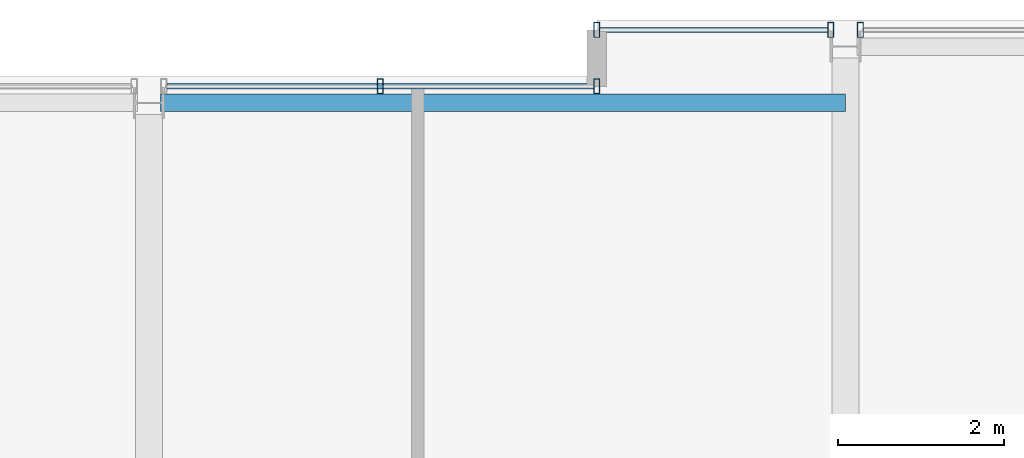
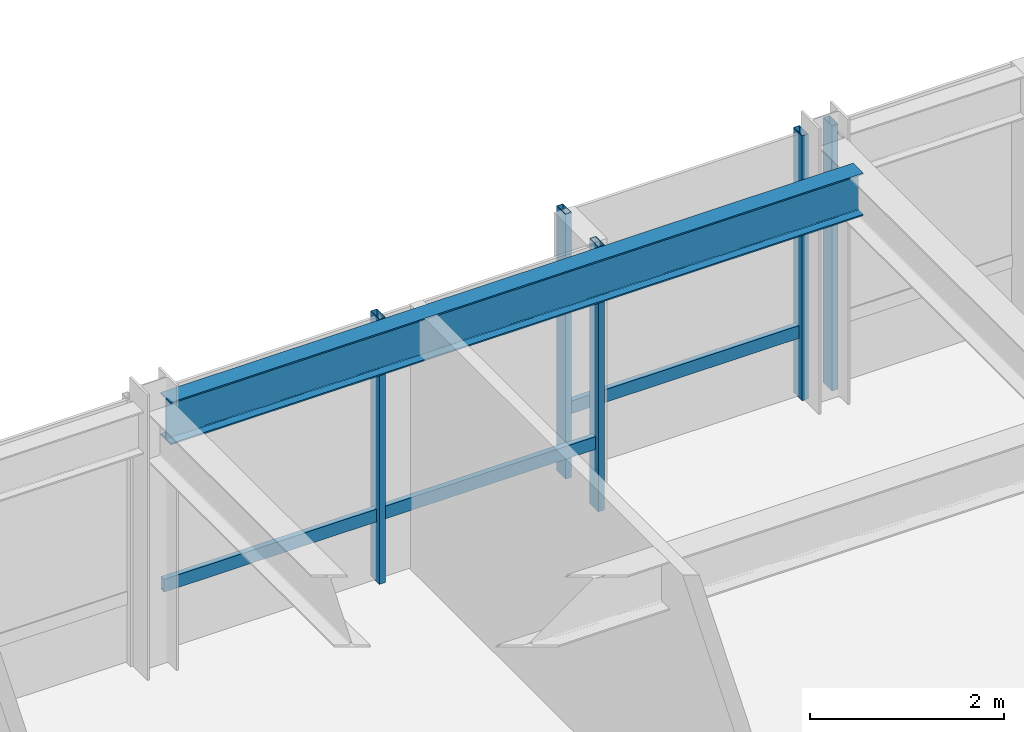
# One storey, part 21 of 32: 7 members, 1 beam, 3 elements without a shape of their own.
"""IFC4 building model written with IfcOpenShell, lengths in metres."""

from ifc_helpers import new_model, si_unit, direction, frame, origin, origin_2d, place, context, subcontext, project, spatial, hollow_rectangle, i_section, extrude, material, layer, layer_set, material_profile, profile_set, type_object, element, aggregate, save


model = new_model("IFC4")

# Units and contexts
model_context = context("Model", 3, precision=1e-05, world=origin(), true_north=direction((0.0, 1.0)))
body_context = subcontext(model_context, "Body", "Model", "MODEL_VIEW")
ifc_project = project(units=[si_unit("LENGTHUNIT", "METRE"), si_unit("AREAUNIT", "SQUARE_METRE"), si_unit("VOLUMEUNIT", "CUBIC_METRE"), si_unit("PLANEANGLEUNIT", "RADIAN"), si_unit("MASSUNIT", "GRAM", prefix="KILO")], contexts=[model_context])

# Site, building, storey
site_placement = place(None, origin())
site = spatial("IfcSite", under=ifc_project, at=site_placement, CompositionType="ELEMENT")
building_placement = place(site_placement, origin())
building = spatial("IfcBuilding", under=site, at=building_placement, Name="Drelvath Grand Hotel", CompositionType="ELEMENT")
storey_placement = place(building_placement, frame((0.0, 0.0, 237.5)))
storey = spatial("IfcBuildingStorey", under=building, at=storey_placement, Name="L62", CompositionType="ELEMENT", Elevation=237.5)

# Curtain wall, member
ifc_material_1 = material(Name="Platinum-Mist Anodised Aluminium Frame", Category="aluminium")
ifc_layer = layer(ifc_material_1, 0.199951171875)
ifc_layer_set = layer_set([ifc_layer], Name="Platinum-Mist Anodised Aluminium Frame")
curtain_wall_type = type_object("IfcCurtainWallType", Name="Stick Curtain Wall CW-05 Platinum Mist High-Rise", PredefinedType="NOTDEFINED", material=ifc_layer_set)
curtain_wall_1_placement = place(storey_placement, origin())
curtain_wall_1 = element("IfcCurtainWall", 1, at=curtain_wall_1_placement, inside=storey, type_object=curtain_wall_type, Name="L62 CW-05 Curtain Wall CW05-L62-NM2", PredefinedType="NOTDEFINED")
ifc_material_profile_1 = material_profile(ifc_material_1, hollow_rectangle(XDim=0.06494140625, YDim=0.159912109375, WallThickness=0.00390625, at=origin_2d()), Name="HSS160X65X4")
ifc_profile_set_1 = profile_set([ifc_material_profile_1], Name="Platinum-Mist Anodised Aluminium Frame")
member_type_1 = type_object("IfcMemberType", Name="Curtain Wall Horizontal Transom CW-05 HSS160X65X4", PredefinedType="USERDEFINED", material=ifc_profile_set_1)
member_1_placement = place(storey_placement, frame((0.21826171875, 48.39990234375, 0.8349609375), z_axis=(1.0, 0.0, 0.0), x_axis=(0.0, 1.0, 0.0)))
member_1 = element("IfcMember", 2, at=member_1_placement, type_object=member_type_1, Name="CW05-L62-NM2 Sill Transom", ObjectType="TRANSOM", PredefinedType="USERDEFINED", context=body_context, shape_type="SweptSolid", body=[
    extrude(hollow_rectangle(XDim=0.06494140625, YDim=0.159912109375, WallThickness=0.00390625, at=origin_2d()), origin(), (0.0, 0.0, 1.0), 5.141845703125),
])

curtain_wall_2_placement = place(storey_placement, origin())
curtain_wall_2 = element("IfcCurtainWall", 3, at=curtain_wall_2_placement, inside=storey, type_object=curtain_wall_type, Name="L62 CW-05 Curtain Wall CW05-L62-NE1", PredefinedType="NOTDEFINED")
member_2_placement = place(storey_placement, frame((5.43994140625, 49.080078125, 0.8349609375), z_axis=(1.0, 0.0, 0.0), x_axis=(0.0, 1.0, 0.0)))
member_2 = element("IfcMember", 4, at=member_2_placement, type_object=member_type_1, Name="CW05-L62-NE1 Sill Transom", ObjectType="TRANSOM", PredefinedType="USERDEFINED", context=body_context, shape_type="SweptSolid", body=[
    extrude(hollow_rectangle(XDim=0.06494140625, YDim=0.159912109375, WallThickness=0.00390625, at=origin_2d()), origin(), (0.0, 0.0, 1.0), 2.741943359375),
])

# Member
ifc_material_profile_2 = material_profile(ifc_material_1, hollow_rectangle(XDim=0.074951171875, YDim=0.179931640625, WallThickness=0.0048828125, at=origin_2d()), Name="HSS180X75X5")
ifc_profile_set_2 = profile_set([ifc_material_profile_2], Name="Platinum-Mist Anodised Aluminium Frame")
member_type_2 = type_object("IfcMemberType", Name="Curtain Wall Vertical Mullion CW-05 HSS180X75X5", PredefinedType="MULLION", material=ifc_profile_set_2)
member_3_placement = place(storey_placement, frame((2.7890625, 48.39990234375, 0.0), z_axis=(0.0, 0.0, 1.0), x_axis=(1.0, 0.0, 0.0)))
member_3 = element("IfcMember", 5, at=member_3_placement, type_object=member_type_2, Name="CW05-L62-NM2 Mullion 2", PredefinedType="MULLION", context=body_context, shape_type="SweptSolid", body=[
    extrude(hollow_rectangle(XDim=0.074951171875, YDim=0.179931640625, WallThickness=0.0048828125, at=origin_2d()), origin(), (0.0, 0.0, 1.0), 3.340087890625),
])

member_4_placement = place(storey_placement, frame((5.39990234375, 48.39990234375, 0.0), z_axis=(0.0, 0.0, 1.0), x_axis=(1.0, 0.0, 0.0)))
member_4 = element("IfcMember", 6, at=member_4_placement, type_object=member_type_2, Name="CW05-L62-NM2 Mullion 3", PredefinedType="MULLION", context=body_context, shape_type="SweptSolid", body=[
    extrude(hollow_rectangle(XDim=0.074951171875, YDim=0.179931640625, WallThickness=0.0048828125, at=origin_2d()), origin(), (0.0, 0.0, 1.0), 3.340087890625),
])

aggregate(curtain_wall_1, [member_3, member_4, member_1])

member_5_placement = place(storey_placement, frame((5.39990234375, 49.080078125, 0.0), z_axis=(0.0, 0.0, 1.0), x_axis=(1.0, 0.0, 0.0)))
member_5 = element("IfcMember", 7, at=member_5_placement, type_object=member_type_2, Name="CW05-L62-NE1 Mullion 1", PredefinedType="MULLION", context=body_context, shape_type="SweptSolid", body=[
    extrude(hollow_rectangle(XDim=0.074951171875, YDim=0.179931640625, WallThickness=0.0048828125, at=origin_2d()), origin(), (0.0, 0.0, 1.0), 3.340087890625),
])

member_6_placement = place(storey_placement, frame((8.2216796875, 49.080078125, 0.0), z_axis=(0.0, 0.0, 1.0), x_axis=(1.0, 0.0, 0.0)))
member_6 = element("IfcMember", 8, at=member_6_placement, type_object=member_type_2, Name="CW05-L62-NE1 Mullion 2", PredefinedType="MULLION", context=body_context, shape_type="SweptSolid", body=[
    extrude(hollow_rectangle(XDim=0.074951171875, YDim=0.179931640625, WallThickness=0.0048828125, at=origin_2d()), origin(), (0.0, 0.0, 1.0), 3.340087890625),
])

aggregate(curtain_wall_2, [member_5, member_6, member_2])

# Curtain wall, member
curtain_wall_3_placement = place(storey_placement, origin())
curtain_wall_3 = element("IfcCurtainWall", 9, at=curtain_wall_3_placement, inside=storey, type_object=curtain_wall_type, Name="L62 CW-05 Curtain Wall CW05-L62-NE2", PredefinedType="NOTDEFINED")
member_7_placement = place(storey_placement, frame((8.578125, 49.080078125, 0.0), z_axis=(0.0, 0.0, 1.0), x_axis=(1.0, 0.0, 0.0)))
member_7 = element("IfcMember", 10, at=member_7_placement, type_object=member_type_2, Name="CW05-L62-NE2 Mullion 1", PredefinedType="MULLION", context=body_context, shape_type="SweptSolid", body=[
    extrude(hollow_rectangle(XDim=0.074951171875, YDim=0.179931640625, WallThickness=0.0048828125, at=origin_2d()), origin(), (0.0, 0.0, 1.0), 3.340087890625),
])
aggregate(curtain_wall_3, [member_7])

# Beam
ifc_material_2 = material(Name="Steel ASTM A992 Gr 50", Category="steel")
ifc_material_profile_3 = material_profile(ifc_material_2, i_section(OverallWidth=0.210205078125, OverallDepth=0.53662109375, WebThickness=0.010986328125, FlangeThickness=0.017333984375, FilletRadius=0.01806640625, at=origin_2d()), Name="W21X68")
ifc_profile_set_3 = profile_set([ifc_material_profile_3], Name="Steel ASTM A992 Gr 50")
beam_type = type_object("IfcBeamType", Name="Perimeter Spandrel Beam W21X68", PredefinedType="SPANDREL", material=ifc_profile_set_3)
beam_placement = place(storey_placement, frame((0.139892578125, 48.199951171875, 3.07177734375), z_axis=(1.0, 0.0, 0.0), x_axis=(0.0, 1.0, 0.0)))
element("IfcBeam", 11, at=beam_placement, inside=storey, type_object=beam_type, Name="L62 Spandrel North Mid E", PredefinedType="SPANDREL", context=body_context, shape_type="SweptSolid", body=[
    extrude(i_section(OverallWidth=0.210205078125, OverallDepth=0.53662109375, WebThickness=0.010986328125, FlangeThickness=0.017333984375, FilletRadius=0.01806640625, at=origin_2d()), origin(), (0.0, 0.0, 1.0), 8.260009765625),
])

save(model, "model.ifc")
